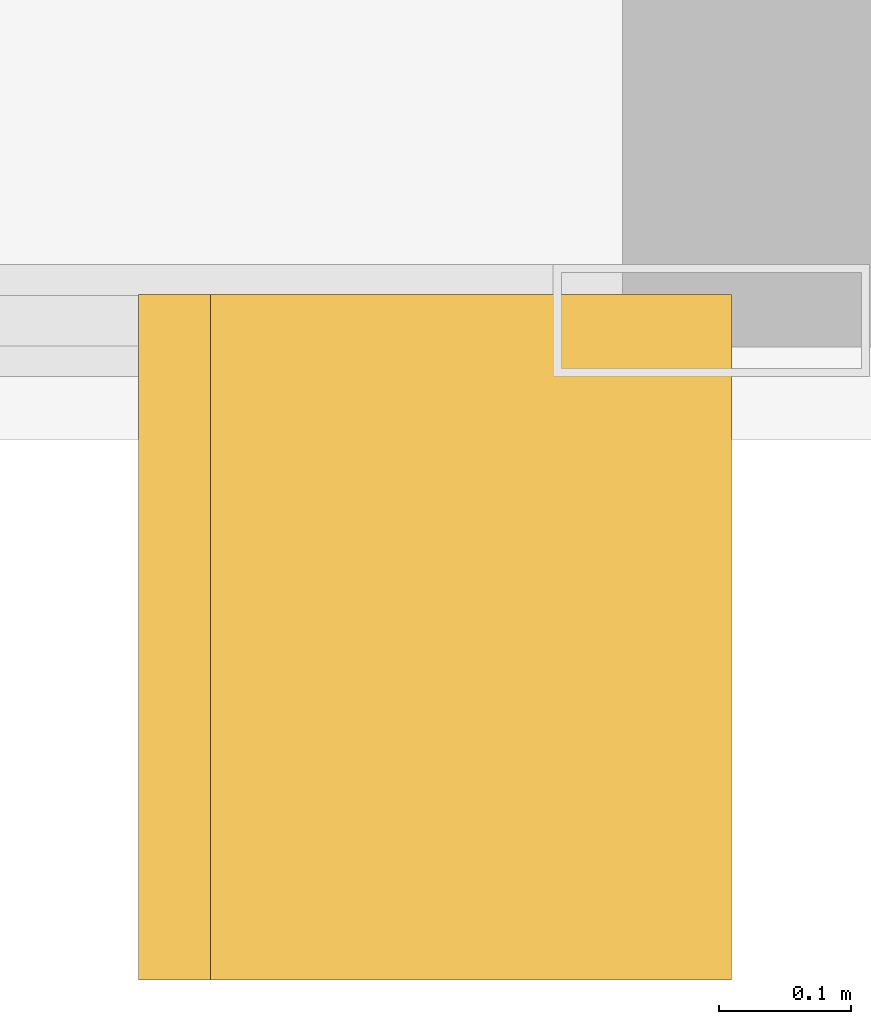
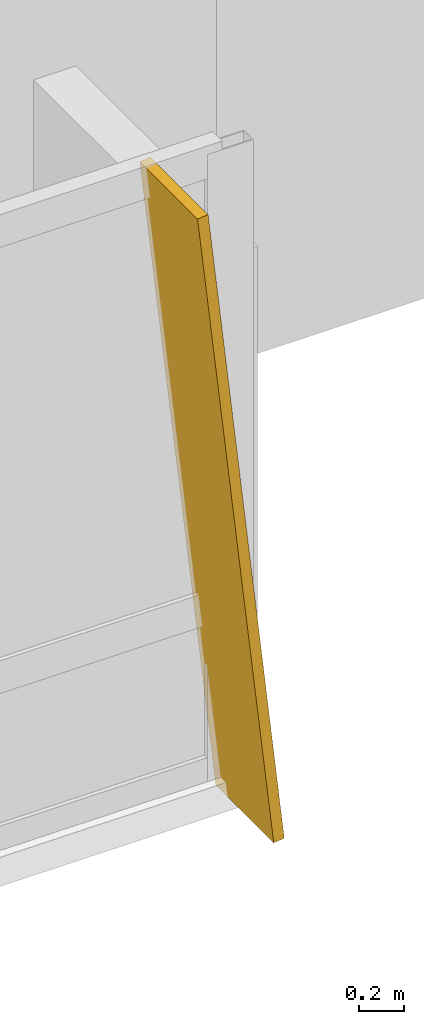
# One storey, part 32 of 32: 1 shading device.
"""IFC4 building model written with IfcOpenShell, lengths in metres."""

from ifc_helpers import new_model, si_unit, direction, frame, origin, place, context, subcontext, project, spatial, polyline, outline, extrude, material, layer, layer_set, type_object, element, save


model = new_model("IFC4")

# Units and contexts
model_context = context("Model", 3, precision=1e-05, world=origin(), true_north=direction((0.0, 1.0)))
body_context = subcontext(model_context, "Body", "Model", "MODEL_VIEW")
ifc_project = project(units=[si_unit("LENGTHUNIT", "METRE"), si_unit("AREAUNIT", "SQUARE_METRE"), si_unit("VOLUMEUNIT", "CUBIC_METRE"), si_unit("PLANEANGLEUNIT", "RADIAN"), si_unit("MASSUNIT", "GRAM", prefix="KILO")], contexts=[model_context])

# Site, building, storey
site_placement = place(None, origin())
site = spatial("IfcSite", under=ifc_project, at=site_placement, CompositionType="ELEMENT")
building_placement = place(site_placement, origin())
building = spatial("IfcBuilding", under=site, at=building_placement, Name="Khoronbel Lancet Exchange", CompositionType="ELEMENT")
storey_placement = place(building_placement, frame((0.0, 0.0, 125.39990234375)))
storey = spatial("IfcBuildingStorey", under=building, at=storey_placement, Name="L30", CompositionType="ELEMENT", Elevation=125.39990234375)

# Shading device
ifc_material = material(Name="Bronze-Anodised Aluminium 6063-T6", Category="aluminium")
ifc_layer = layer(ifc_material, 0.054931640625, Name="Bronze-Anodised Aluminium 6063-T6")
ifc_layer_set = layer_set([ifc_layer], Name="Bronze-Anodised Aluminium 6063-T6")
shading_device_type = type_object("IfcShadingDeviceType", Name="SHD-FIN1", PredefinedType="USERDEFINED", material=ifc_layer_set)
shading_device_placement = place(storey_placement, frame((65.9326171875, 7.81005859375, -0.079833984375), z_axis=(0.99389951861, 0.0, 0.110289378034), x_axis=(0.0, -1.0, 0.0)))
element("IfcShadingDevice", 1, at=shading_device_placement, inside=storey, type_object=shading_device_type, Name="Slanted bronze solar fin CW-L30-SEV-1", ObjectType="FIN", PredefinedType="USERDEFINED", context=body_context, shape_type="SweptSolid", body=[
    extrude(outline(polyline([(0.0, 0.0), (0.52001953125, 0.0), (0.52001953125, -3.58154296875), (0.0, -3.58154296875), (0.0, 0.0)])), origin(), (0.0, 0.0, -1.0), 0.054931640625),
])

save(model, "model.ifc")
